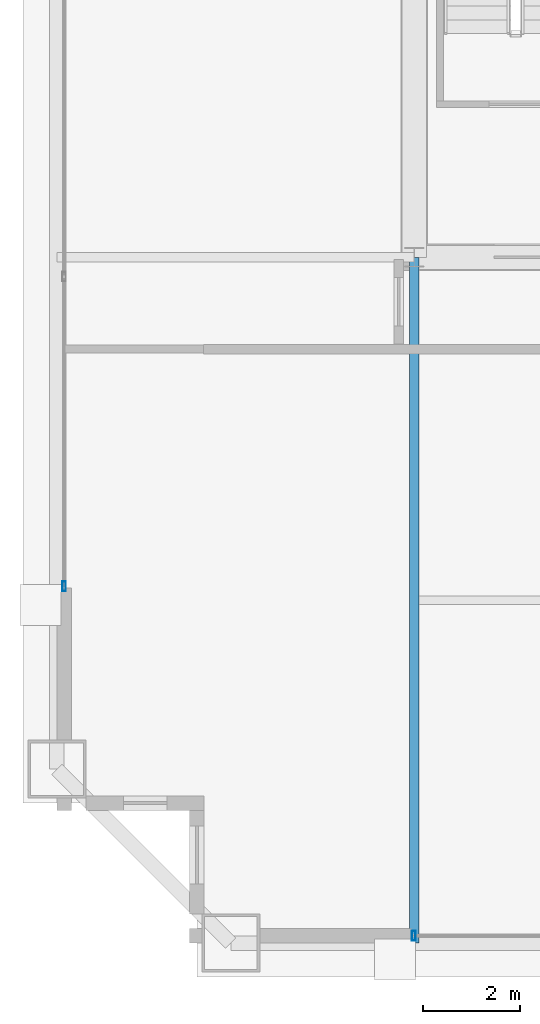
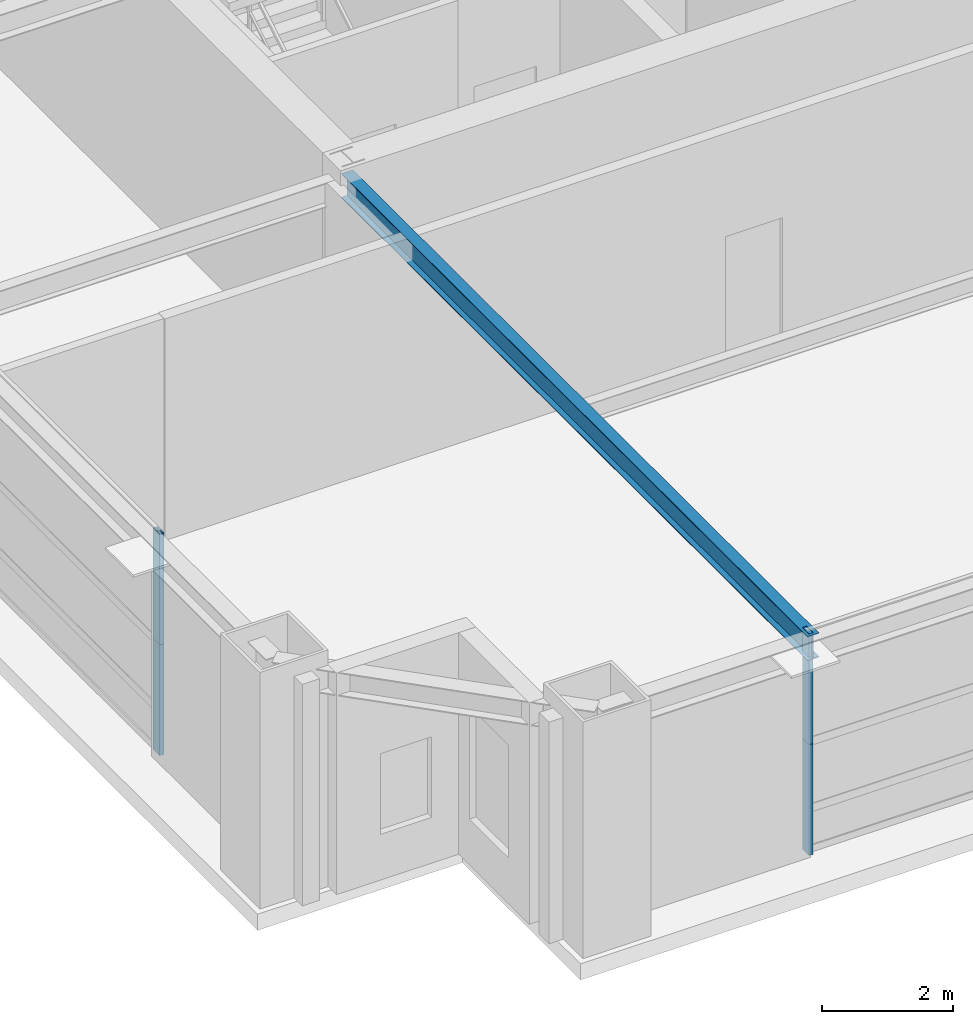
# One storey, part 3 of 26: 4 members, 1 beam, 2 elements without a shape of their own.
"""IFC4 building model written with IfcOpenShell, lengths in metres."""

from ifc_helpers import new_model, si_unit, direction, frame, origin, origin_2d, place, context, subcontext, project, spatial, hollow_rectangle, i_section, extrude, source, transform, mapped, material, layer, layer_set, material_profile, profile_set, type_object, element, aggregate, save


model = new_model("IFC4")

# Units and contexts
model_context = context("Model", 3, precision=1e-05, world=origin(), true_north=direction((0.0, 1.0)))
body_context = subcontext(model_context, "Body", "Model", "MODEL_VIEW")
ifc_project = project(units=[si_unit("LENGTHUNIT", "METRE"), si_unit("AREAUNIT", "SQUARE_METRE"), si_unit("VOLUMEUNIT", "CUBIC_METRE"), si_unit("PLANEANGLEUNIT", "RADIAN"), si_unit("MASSUNIT", "GRAM", prefix="KILO"), si_unit("THERMODYNAMICTEMPERATUREUNIT", "KELVIN"), si_unit("POWERUNIT", "WATT")], contexts=[model_context])

# Site, building, storey
site_placement = place(None, origin())
site = spatial("IfcSite", under=ifc_project, at=site_placement, CompositionType="ELEMENT")
building_placement = place(site_placement, origin())
building = spatial("IfcBuilding", under=site, at=building_placement, Name="Yuzanri Waterfront Tower", CompositionType="ELEMENT")
storey_placement = place(building_placement, frame((0.0, 0.0, 259.10009765625)))
storey = spatial("IfcBuildingStorey", under=building, at=storey_placement, Name="L69", CompositionType="ELEMENT", Elevation=259.10009765625)

# Beam
ifc_material_1 = material(Name="Steel Q355B", Category="steel")
ifc_material_profile_1 = material_profile(ifc_material_1, i_section(OverallWidth=0.199951171875, OverallDepth=0.449951171875, WebThickness=0.009033203125, FlangeThickness=0.013916015625, at=origin_2d()), Name="HN 450x200x9x14")
ifc_profile_set_1 = profile_set([ifc_material_profile_1], Name="Steel Q355B")
beam_type = type_object("IfcBeamType", Name="Secondary Floor Beam Q355B HN 450x200", PredefinedType="BEAM", material=ifc_profile_set_1)
shared_shape_1 = source(origin(), body_context, "Body", "SweptSolid", [
    extrude(i_section(OverallWidth=0.199951171875, OverallDepth=0.449951171875, WebThickness=0.009033203125, FlangeThickness=0.013916015625, at=origin_2d()), origin(), (0.0, 0.0, 1.0), 14.199951171875),
])
beam_placement = place(storey_placement, frame((23.800048828125, 19.39990234375, 3.89501953125), z_axis=(0.0, -1.0, 0.0), x_axis=(1.0, 0.0, 0.0)))
element("IfcBeam", 1, at=beam_placement, inside=storey, type_object=beam_type, Name="L69 South-West Core Line Beam", PredefinedType="BEAM", context=body_context, shape_type="MappedRepresentation", body=[
    mapped(shared_shape_1, transform((0.0, 0.0, 0.0), scale=1.0)),
])

# Curtain wall, members
ifc_material_2 = material(Name="Anodized Architectural Bronze", Category="metal")
ifc_layer = layer(ifc_material_2, 0.159912109375)
ifc_layer_set = layer_set([ifc_layer], Name="Anodized Architectural Bronze")
curtain_wall_type = type_object("IfcCurtainWallType", Name="Anodized Bronze Sky-Lobby Triple-Glazed Feature Curtain Wall 7500", PredefinedType="NOTDEFINED", material=ifc_layer_set)
curtain_wall_1_placement = place(storey_placement, origin())
curtain_wall_1 = element("IfcCurtainWall", 2, at=curtain_wall_1_placement, inside=storey, type_object=curtain_wall_type, Name="L69 Curtain Wall CW-L69-SL", PredefinedType="NOTDEFINED")
ifc_material_3 = material(Name="Anodized Architectural Bronze", Category="metal")
ifc_material_profile_2 = material_profile(ifc_material_3, hollow_rectangle(XDim=0.074951171875, YDim=0.199951171875, WallThickness=0.00390625, at=origin_2d()), Name="CWM 75x200")
ifc_profile_set_2 = profile_set([ifc_material_profile_2], Name="Anodized Architectural Bronze")
member_type = type_object("IfcMemberType", Name="Anodized Bronze Primary Curtain-Wall Mullion 75x200", PredefinedType="MULLION", material=ifc_profile_set_2)
shared_shape_2 = source(origin(), body_context, "Body", "SweptSolid", [
    extrude(hollow_rectangle(XDim=0.074951171875, YDim=0.199951171875, WallThickness=0.00390625, at=origin_2d()), origin(), (0.0, 0.0, 1.0), 2.057861328125),
])
member_1_placement = place(storey_placement, frame((23.7900390625, 5.35009765625, 0.0), z_axis=(0.0, 0.0, 1.0), x_axis=(1.0, 0.0, 0.0)))
member_1 = element("IfcMember", 3, at=member_1_placement, type_object=member_type, Name="CW-L69-SL Lower Mullion 00", PredefinedType="MULLION", context=body_context, shape_type="MappedRepresentation", body=[
    mapped(shared_shape_2, transform((0.0, 0.0, 0.0), scale=1.0)),
])
member_2_placement = place(storey_placement, frame((23.7900390625, 5.35009765625, 2.06201171875), z_axis=(0.0, 0.0, 1.0), x_axis=(1.0, 0.0, 0.0)))
member_2 = element("IfcMember", 4, at=member_2_placement, type_object=member_type, Name="CW-L69-SL Upper Mullion 00", PredefinedType="MULLION", context=body_context, shape_type="MappedRepresentation", body=[
    mapped(shared_shape_2, transform((0.0, 0.0, 0.0), scale=1.0)),
])
aggregate(curtain_wall_1, [member_1, member_2])

curtain_wall_2_placement = place(storey_placement, origin())
curtain_wall_2 = element("IfcCurtainWall", 5, at=curtain_wall_2_placement, inside=storey, type_object=curtain_wall_type, Name="L69 Curtain Wall CW-L69-WL", PredefinedType="NOTDEFINED")
member_3_placement = place(storey_placement, frame((16.550048828125, 12.590087890625, 0.0), z_axis=(0.0, 0.0, 1.0), x_axis=(1.0, 0.0, 0.0)))
member_3 = element("IfcMember", 6, at=member_3_placement, type_object=member_type, Name="CW-L69-WL Lower Mullion 00", PredefinedType="MULLION", context=body_context, shape_type="MappedRepresentation", body=[
    mapped(shared_shape_2, transform((0.0, 0.0, 0.0), scale=1.0)),
])
member_4_placement = place(storey_placement, frame((16.550048828125, 12.590087890625, 2.06201171875), z_axis=(0.0, 0.0, 1.0), x_axis=(1.0, 0.0, 0.0)))
member_4 = element("IfcMember", 7, at=member_4_placement, type_object=member_type, Name="CW-L69-WL Upper Mullion 00", PredefinedType="MULLION", context=body_context, shape_type="MappedRepresentation", body=[
    mapped(shared_shape_2, transform((0.0, 0.0, 0.0), scale=1.0)),
])
aggregate(curtain_wall_2, [member_3, member_4])

save(model, "model.ifc")
